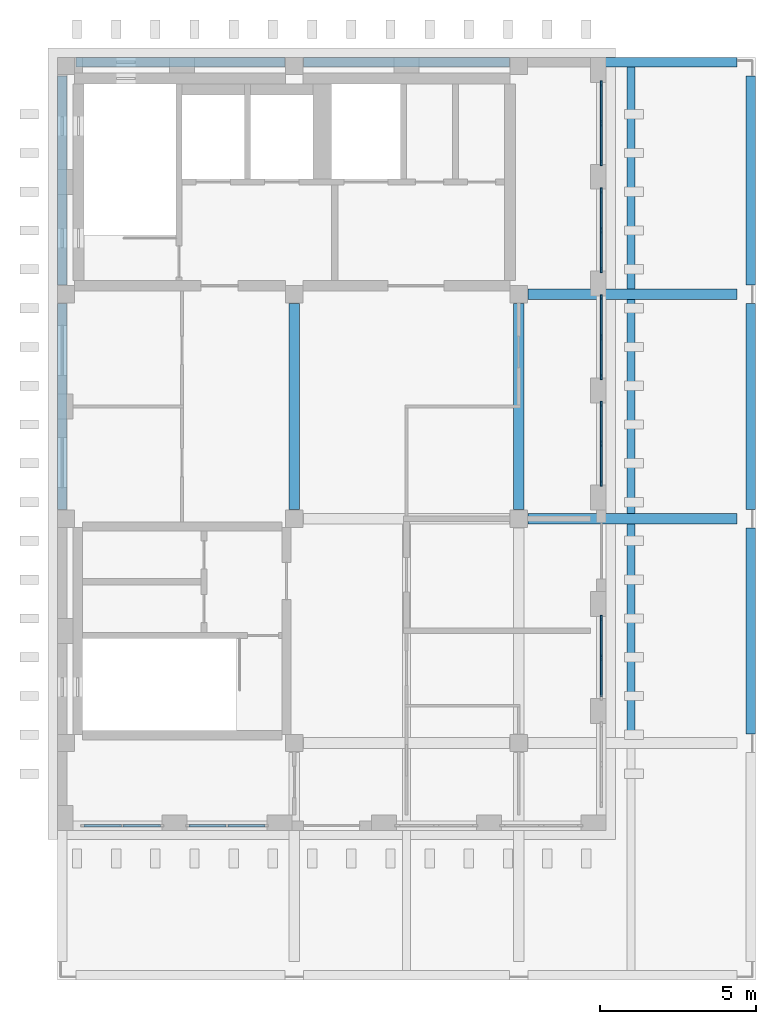
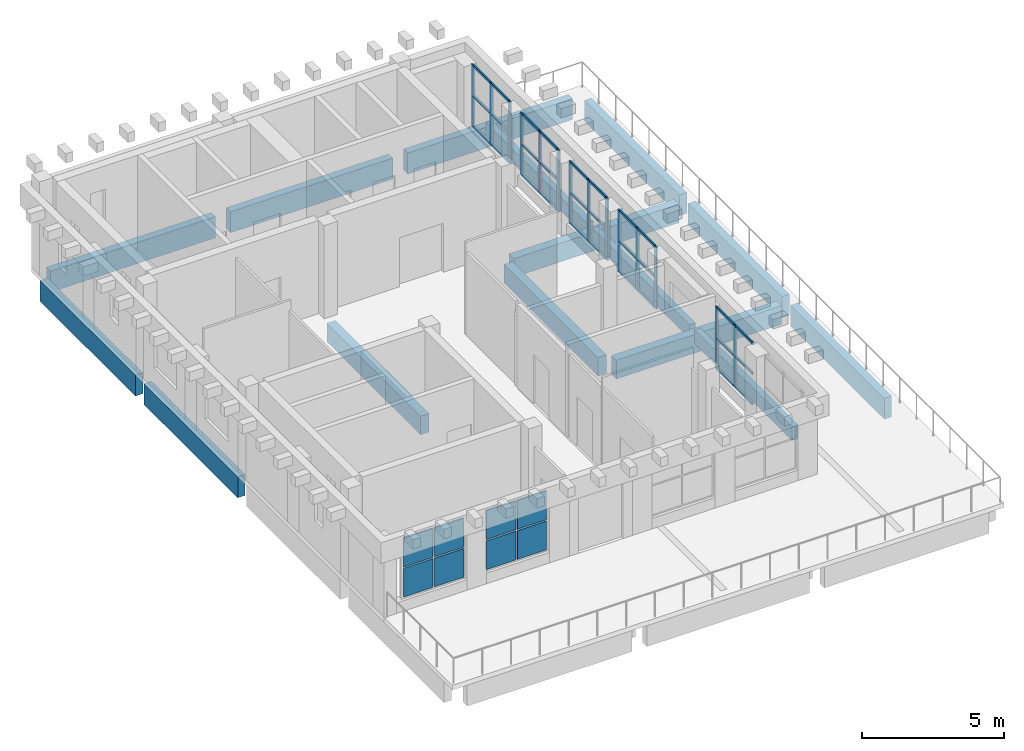
# One storey, part 2 of 6: 44 members, 15 beams, 8 plates, 7 elements without a shape of their own.
"""IFC4 building model written with IfcOpenShell, lengths in metres."""

from ifc_helpers import new_model, si_unit, direction, frame, origin, origin_2d, place, context, subcontext, project, spatial, rectangle, extrude, material, layer, layer_set, material_profile, profile_set, type_object, element, aggregate, save


model = new_model("IFC4")

# Units and contexts
model_context = context("Model", 3, precision=1e-05, world=origin(), true_north=direction((0.0, 1.0)))
body_context = subcontext(model_context, "Body", "Model", "MODEL_VIEW")
ifc_project = project(units=[si_unit("LENGTHUNIT", "METRE"), si_unit("AREAUNIT", "SQUARE_METRE"), si_unit("VOLUMEUNIT", "CUBIC_METRE"), si_unit("PLANEANGLEUNIT", "RADIAN"), si_unit("MASSUNIT", "GRAM", prefix="KILO")], contexts=[model_context])

# Site, building, storey
site_placement = place(None, origin())
site = spatial("IfcSite", under=ifc_project, at=site_placement, CompositionType="ELEMENT")
building_placement = place(site_placement, origin())
building = spatial("IfcBuilding", under=site, at=building_placement, Name="Ussher Court Research Institute", CompositionType="ELEMENT")
storey_placement = place(building_placement, frame((0.0, 0.0, 41.39990234375)))
storey = spatial("IfcBuildingStorey", under=building, at=storey_placement, Name="L09", CompositionType="ELEMENT", Elevation=41.39990234375)

# Curtain wall, members
ifc_material_1 = material(Name="Bronze anodised aluminium with solar-control glass", Category="aluminium")
ifc_layer_1 = layer(ifc_material_1, 0.1201171875)
ifc_layer_set_1 = layer_set([ifc_layer_1], Name="Bronze anodised aluminium with solar-control glass")
curtain_wall_type = type_object("IfcCurtainWallType", Name="Curtain wall roof terrace pavilion front", PredefinedType="NOTDEFINED", material=ifc_layer_set_1)
curtain_wall_1_placement = place(storey_placement, origin())
curtain_wall_1 = element("IfcCurtainWall", 1, at=curtain_wall_1_placement, inside=storey, type_object=curtain_wall_type, Name="Curtain wall CW9 L09", PredefinedType="NOTDEFINED")
ifc_material_2 = material(Name="Bronze anodised aluminium", Category="aluminium")
ifc_material_profile_1 = material_profile(ifc_material_2, rectangle(XDim=0.06005859375, YDim=0.159912109375, at=origin_2d()), Name="Mullion 60x160")
ifc_profile_set_1 = profile_set([ifc_material_profile_1], Name="Bronze anodised aluminium")
member_type_1 = type_object("IfcMemberType", Name="Mullion 60x160", PredefinedType="MULLION", material=ifc_profile_set_1)
member_1_placement = place(storey_placement, frame((99.25, 32.3701171875, 0.4501953125), z_axis=(0.0, 0.0, 1.0), x_axis=(1.0, 0.0, 0.0)))
member_1 = element("IfcMember", 2, at=member_1_placement, type_object=member_type_1, Name="CW9 mullion 1", PredefinedType="MULLION", context=body_context, shape_type="SweptSolid", body=[
    extrude(rectangle(XDim=0.06005859375, YDim=0.159912109375, at=origin_2d()), origin(), (0.0, 0.0, 1.0), 2.64990234375),
])
member_2_placement = place(storey_placement, frame((99.25, 31.085693359375, 0.4501953125), z_axis=(0.0, 0.0, 1.0), x_axis=(1.0, 0.0, 0.0)))
member_2 = element("IfcMember", 3, at=member_2_placement, type_object=member_type_1, Name="CW9 mullion 2", PredefinedType="MULLION", context=body_context, shape_type="SweptSolid", body=[
    extrude(rectangle(XDim=0.06005859375, YDim=0.159912109375, at=origin_2d()), origin(), (0.0, 0.0, 1.0), 2.64990234375),
])
member_3_placement = place(storey_placement, frame((99.25, 29.801513671875, 0.4501953125), z_axis=(0.0, 0.0, 1.0), x_axis=(1.0, 0.0, 0.0)))
member_3 = element("IfcMember", 4, at=member_3_placement, type_object=member_type_1, Name="CW9 mullion 3", PredefinedType="MULLION", context=body_context, shape_type="SweptSolid", body=[
    extrude(rectangle(XDim=0.06005859375, YDim=0.159912109375, at=origin_2d()), origin(), (0.0, 0.0, 1.0), 2.64990234375),
])

curtain_wall_2_placement = place(storey_placement, origin())
curtain_wall_2 = element("IfcCurtainWall", 5, at=curtain_wall_2_placement, inside=storey, type_object=curtain_wall_type, Name="Curtain wall CW9 L09", PredefinedType="NOTDEFINED")
member_4_placement = place(storey_placement, frame((99.25, 28.94140625, 0.4501953125), z_axis=(0.0, 0.0, 1.0), x_axis=(1.0, 0.0, 0.0)))
member_4 = element("IfcMember", 6, at=member_4_placement, type_object=member_type_1, Name="CW9 mullion 1", PredefinedType="MULLION", context=body_context, shape_type="SweptSolid", body=[
    extrude(rectangle(XDim=0.06005859375, YDim=0.159912109375, at=origin_2d()), origin(), (0.0, 0.0, 1.0), 2.64990234375),
])
member_5_placement = place(storey_placement, frame((99.25, 27.6572265625, 0.4501953125), z_axis=(0.0, 0.0, 1.0), x_axis=(1.0, 0.0, 0.0)))
member_5 = element("IfcMember", 7, at=member_5_placement, type_object=member_type_1, Name="CW9 mullion 2", PredefinedType="MULLION", context=body_context, shape_type="SweptSolid", body=[
    extrude(rectangle(XDim=0.06005859375, YDim=0.159912109375, at=origin_2d()), origin(), (0.0, 0.0, 1.0), 2.64990234375),
])
member_6_placement = place(storey_placement, frame((99.25, 26.372802734375, 0.4501953125), z_axis=(0.0, 0.0, 1.0), x_axis=(1.0, 0.0, 0.0)))
member_6 = element("IfcMember", 8, at=member_6_placement, type_object=member_type_1, Name="CW9 mullion 3", PredefinedType="MULLION", context=body_context, shape_type="SweptSolid", body=[
    extrude(rectangle(XDim=0.06005859375, YDim=0.159912109375, at=origin_2d()), origin(), (0.0, 0.0, 1.0), 2.64990234375),
])

curtain_wall_3_placement = place(storey_placement, origin())
curtain_wall_3 = element("IfcCurtainWall", 9, at=curtain_wall_3_placement, inside=storey, type_object=curtain_wall_type, Name="Curtain wall CW9 L09", PredefinedType="NOTDEFINED")
member_7_placement = place(storey_placement, frame((99.25, 25.512939453125, 0.4501953125), z_axis=(0.0, 0.0, 1.0), x_axis=(1.0, 0.0, 0.0)))
member_7 = element("IfcMember", 10, at=member_7_placement, type_object=member_type_1, Name="CW9 mullion 1", PredefinedType="MULLION", context=body_context, shape_type="SweptSolid", body=[
    extrude(rectangle(XDim=0.06005859375, YDim=0.159912109375, at=origin_2d()), origin(), (0.0, 0.0, 1.0), 2.64990234375),
])
member_8_placement = place(storey_placement, frame((99.25, 24.228515625, 0.4501953125), z_axis=(0.0, 0.0, 1.0), x_axis=(1.0, 0.0, 0.0)))
member_8 = element("IfcMember", 11, at=member_8_placement, type_object=member_type_1, Name="CW9 mullion 2", PredefinedType="MULLION", context=body_context, shape_type="SweptSolid", body=[
    extrude(rectangle(XDim=0.06005859375, YDim=0.159912109375, at=origin_2d()), origin(), (0.0, 0.0, 1.0), 2.64990234375),
])
member_9_placement = place(storey_placement, frame((99.25, 22.9443359375, 0.4501953125), z_axis=(0.0, 0.0, 1.0), x_axis=(1.0, 0.0, 0.0)))
member_9 = element("IfcMember", 12, at=member_9_placement, type_object=member_type_1, Name="CW9 mullion 3", PredefinedType="MULLION", context=body_context, shape_type="SweptSolid", body=[
    extrude(rectangle(XDim=0.06005859375, YDim=0.159912109375, at=origin_2d()), origin(), (0.0, 0.0, 1.0), 2.64990234375),
])

curtain_wall_4_placement = place(storey_placement, origin())
curtain_wall_4 = element("IfcCurtainWall", 13, at=curtain_wall_4_placement, inside=storey, type_object=curtain_wall_type, Name="Curtain wall CW9 L09", PredefinedType="NOTDEFINED")
member_10_placement = place(storey_placement, frame((99.25, 22.084228515625, 0.4501953125), z_axis=(0.0, 0.0, 1.0), x_axis=(1.0, 0.0, 0.0)))
member_10 = element("IfcMember", 14, at=member_10_placement, type_object=member_type_1, Name="CW9 mullion 1", PredefinedType="MULLION", context=body_context, shape_type="SweptSolid", body=[
    extrude(rectangle(XDim=0.06005859375, YDim=0.159912109375, at=origin_2d()), origin(), (0.0, 0.0, 1.0), 2.64990234375),
])
member_11_placement = place(storey_placement, frame((99.25, 20.800048828125, 0.4501953125), z_axis=(0.0, 0.0, 1.0), x_axis=(1.0, 0.0, 0.0)))
member_11 = element("IfcMember", 15, at=member_11_placement, type_object=member_type_1, Name="CW9 mullion 2", PredefinedType="MULLION", context=body_context, shape_type="SweptSolid", body=[
    extrude(rectangle(XDim=0.06005859375, YDim=0.159912109375, at=origin_2d()), origin(), (0.0, 0.0, 1.0), 2.64990234375),
])
member_12_placement = place(storey_placement, frame((99.25, 19.515625, 0.4501953125), z_axis=(0.0, 0.0, 1.0), x_axis=(1.0, 0.0, 0.0)))
member_12 = element("IfcMember", 16, at=member_12_placement, type_object=member_type_1, Name="CW9 mullion 3", PredefinedType="MULLION", context=body_context, shape_type="SweptSolid", body=[
    extrude(rectangle(XDim=0.06005859375, YDim=0.159912109375, at=origin_2d()), origin(), (0.0, 0.0, 1.0), 2.64990234375),
])

curtain_wall_5_placement = place(storey_placement, origin())
curtain_wall_5 = element("IfcCurtainWall", 17, at=curtain_wall_5_placement, inside=storey, type_object=curtain_wall_type, Name="Curtain wall CW9 L09", PredefinedType="NOTDEFINED")
member_13_placement = place(storey_placement, frame((99.25, 15.22705078125, 0.4501953125), z_axis=(0.0, 0.0, 1.0), x_axis=(1.0, 0.0, 0.0)))
member_13 = element("IfcMember", 18, at=member_13_placement, type_object=member_type_1, Name="CW9 mullion 1", PredefinedType="MULLION", context=body_context, shape_type="SweptSolid", body=[
    extrude(rectangle(XDim=0.06005859375, YDim=0.159912109375, at=origin_2d()), origin(), (0.0, 0.0, 1.0), 2.64990234375),
])
member_14_placement = place(storey_placement, frame((99.25, 13.94287109375, 0.4501953125), z_axis=(0.0, 0.0, 1.0), x_axis=(1.0, 0.0, 0.0)))
member_14 = element("IfcMember", 19, at=member_14_placement, type_object=member_type_1, Name="CW9 mullion 2", PredefinedType="MULLION", context=body_context, shape_type="SweptSolid", body=[
    extrude(rectangle(XDim=0.06005859375, YDim=0.159912109375, at=origin_2d()), origin(), (0.0, 0.0, 1.0), 2.64990234375),
])

# Beams
ifc_material_3 = material(Name="Concrete C35/45", Category="concrete")
ifc_material_profile_2 = material_profile(ifc_material_3, rectangle(XDim=0.25, YDim=0.60009765625, at=origin_2d()), Name="RC 250x600")
ifc_profile_set_2 = profile_set([ifc_material_profile_2], Name="Concrete C35/45")
beam_type_1 = type_object("IfcBeamType", Name="RC 250x600 beam", PredefinedType="BEAM", material=ifc_profile_set_2)
for number, where, z_axis, x_axis, name in (
    (20, (100.199951171875, 11.375, -0.2998046875), (0.0, 1.0, 0.0), (-1.0, 0.0, 0.0), "B14 V4 L09-04"),
    (21, (100.199951171875, 18.574951171875, -0.2998046875), (0.0, 1.0, 0.0), (-1.0, 0.0, 0.0), "B14 V4 L09-05"),
):
    element("IfcBeam", number, at=place(storey_placement, frame(where, z_axis=z_axis, x_axis=x_axis)), inside=storey, type_object=beam_type_1, Name=name, PredefinedType="BEAM", context=body_context, shape_type="SweptSolid", body=[
        extrude(rectangle(XDim=0.25, YDim=0.60009765625, at=origin_2d()), origin(), (0.0, 0.0, 1.0), 6.85009765625),
    ])
beam_1_placement = place(storey_placement, frame((100.199951171875, 25.77490234375, -0.2998046875), z_axis=(0.0, 1.0, 0.0), x_axis=(-1.0, 0.0, 0.0)))
element("IfcBeam", 22, at=beam_1_placement, inside=storey, type_object=beam_type_1, Name="B14 V4 L09-06", PredefinedType="BEAM", context=body_context, shape_type="SweptSolid", body=[
    extrude(rectangle(XDim=0.25, YDim=0.60009765625, at=origin_2d()), origin(), (0.0, 0.0, 1.0), 7.125),
])
ifc_material_4 = material(Name="Concrete C35/45", Category="concrete")
ifc_material_profile_3 = material_profile(ifc_material_4, rectangle(XDim=0.300048828125, YDim=0.89990234375, at=origin_2d()), Name="RC 300x900")
ifc_profile_set_3 = profile_set([ifc_material_profile_3], Name="Concrete C35/45")
beam_type_2 = type_object("IfcBeamType", Name="RC 300x900 beam", PredefinedType="BEAM", material=ifc_profile_set_3)
beam_2_placement = place(storey_placement, frame((82.39990234375, 33.050048828125, -0.64990234375), z_axis=(1.0, 0.0, 0.0), x_axis=(0.0, 1.0, 0.0)))
element("IfcBeam", 23, at=beam_2_placement, inside=storey, type_object=beam_type_2, Name="SB2 V4 L09-04", PredefinedType="BEAM", context=body_context, shape_type="SweptSolid", body=[
    extrude(rectangle(XDim=0.300048828125, YDim=0.89990234375, at=origin_2d()), origin(), (0.0, 0.0, 1.0), 6.7001953125),
])
beam_3_placement = place(storey_placement, frame((89.699951171875, 33.050048828125, -0.64990234375), z_axis=(1.0, 0.0, 0.0), x_axis=(0.0, 1.0, 0.0)))
element("IfcBeam", 24, at=beam_3_placement, inside=storey, type_object=beam_type_2, Name="SB2 V4 L09-05", PredefinedType="BEAM", context=body_context, shape_type="SweptSolid", body=[
    extrude(rectangle(XDim=0.300048828125, YDim=0.89990234375, at=origin_2d()), origin(), (0.0, 0.0, 1.0), 6.60009765625),
])
beam_4_placement = place(storey_placement, frame((96.89990234375, 33.050048828125, -0.64990234375), z_axis=(1.0, 0.0, 0.0), x_axis=(0.0, 1.0, 0.0)))
element("IfcBeam", 25, at=beam_4_placement, inside=storey, type_object=beam_type_2, Name="SB2 V4 L09-06", PredefinedType="BEAM", context=body_context, shape_type="SweptSolid", body=[
    extrude(rectangle(XDim=0.300048828125, YDim=0.89990234375, at=origin_2d()), origin(), (0.0, 0.0, 1.0), 6.7001953125),
])
beam_5_placement = place(storey_placement, frame((81.949951171875, 18.699951171875, -0.64990234375), z_axis=(0.0, 1.0, 0.0), x_axis=(-1.0, 0.0, 0.0)))
element("IfcBeam", 26, at=beam_5_placement, inside=storey, type_object=beam_type_2, Name="SB2 V4 L09-09", PredefinedType="BEAM", context=body_context, shape_type="SweptSolid", body=[
    extrude(rectangle(XDim=0.300048828125, YDim=0.89990234375, at=origin_2d()), origin(), (0.0, 0.0, 1.0), 6.60009765625),
])
beam_6_placement = place(storey_placement, frame((81.949951171875, 25.89990234375, -0.64990234375), z_axis=(0.0, 1.0, 0.0), x_axis=(-1.0, 0.0, 0.0)))
element("IfcBeam", 27, at=beam_6_placement, inside=storey, type_object=beam_type_2, Name="SB2 V4 L09-10", PredefinedType="BEAM", context=body_context, shape_type="SweptSolid", body=[
    extrude(rectangle(XDim=0.300048828125, YDim=0.89990234375, at=origin_2d()), origin(), (0.0, 0.0, 1.0), 6.7001953125),
])
for number, where, z_axis, x_axis, name in (
    (28, (104.050048828125, 11.5, -0.64990234375), (0.0, 1.0, 0.0), (-1.0, 0.0, 0.0), "SB2 V4 L09-12"),
    (29, (104.050048828125, 18.699951171875, -0.64990234375), (0.0, 1.0, 0.0), (-1.0, 0.0, 0.0), "SB2 V4 L09-13"),
):
    element("IfcBeam", number, at=place(storey_placement, frame(where, z_axis=z_axis, x_axis=x_axis)), inside=storey, type_object=beam_type_2, Name=name, PredefinedType="BEAM", context=body_context, shape_type="SweptSolid", body=[
        extrude(rectangle(XDim=0.300048828125, YDim=0.89990234375, at=origin_2d()), origin(), (0.0, 0.0, 1.0), 6.60009765625),
    ])
beam_7_placement = place(storey_placement, frame((104.050048828125, 25.89990234375, -0.64990234375), z_axis=(0.0, 1.0, 0.0), x_axis=(-1.0, 0.0, 0.0)))
element("IfcBeam", 30, at=beam_7_placement, inside=storey, type_object=beam_type_2, Name="SB2 V4 L09-14", PredefinedType="BEAM", context=body_context, shape_type="SweptSolid", body=[
    extrude(rectangle(XDim=0.300048828125, YDim=0.89990234375, at=origin_2d()), origin(), (0.0, 0.0, 1.0), 6.7001953125),
])
ifc_material_5 = material(Name="Concrete C35/45", Category="concrete")
ifc_material_profile_4 = material_profile(ifc_material_5, rectangle(XDim=0.35009765625, YDim=0.800048828125, at=origin_2d()), Name="RC 350x800")
ifc_profile_set_4 = profile_set([ifc_material_profile_4], Name="Concrete C35/45")
beam_type_3 = type_object("IfcBeamType", Name="RC 350x800 beam", PredefinedType="BEAM", material=ifc_profile_set_4)
for number, where, z_axis, x_axis, name in (
    (31, (96.89990234375, 18.39990234375, -0.599853515625), (1.0, 0.0, 0.0), (0.0, 1.0, 0.0), "B6 V4 L09-04"),
    (32, (96.89990234375, 25.60009765625, -0.599853515625), (1.0, 0.0, 0.0), (0.0, 1.0, 0.0), "B6 V4 L09-05"),
):
    element("IfcBeam", number, at=place(storey_placement, frame(where, z_axis=z_axis, x_axis=x_axis)), inside=storey, type_object=beam_type_3, Name=name, PredefinedType="BEAM", context=body_context, shape_type="SweptSolid", body=[
        extrude(rectangle(XDim=0.35009765625, YDim=0.800048828125, at=origin_2d()), origin(), (0.0, 0.0, 1.0), 6.7001953125),
    ])
for number, where, z_axis, x_axis, name in (
    (33, (89.39990234375, 18.699951171875, -0.599853515625), (0.0, 1.0, 0.0), (-1.0, 0.0, 0.0), "B6 V4 L09-07"),
    (34, (96.60009765625, 18.699951171875, -0.599853515625), (0.0, 1.0, 0.0), (-1.0, 0.0, 0.0), "B6 V4 L09-10"),
):
    element("IfcBeam", number, at=place(storey_placement, frame(where, z_axis=z_axis, x_axis=x_axis)), inside=storey, type_object=beam_type_3, Name=name, PredefinedType="BEAM", context=body_context, shape_type="SweptSolid", body=[
        extrude(rectangle(XDim=0.35009765625, YDim=0.800048828125, at=origin_2d()), origin(), (0.0, 0.0, 1.0), 6.60009765625),
    ])

# Member
ifc_material_6 = material(Name="Bronze anodised aluminium", Category="aluminium")
ifc_material_profile_5 = material_profile(ifc_material_6, rectangle(XDim=0.06005859375, YDim=0.1201171875, at=origin_2d()), Name="Transom 60x120")
ifc_profile_set_5 = profile_set([ifc_material_profile_5], Name="Bronze anodised aluminium")
member_type_2 = type_object("IfcMemberType", Name="Transom 60x120", PredefinedType="USERDEFINED", material=ifc_profile_set_5)
member_15_placement = place(storey_placement, frame((99.25, 32.340087890625, 0.47998046875), z_axis=(0.0, -1.0, 0.0), x_axis=(1.0, 0.0, 0.0)))
member_15 = element("IfcMember", 35, at=member_15_placement, type_object=member_type_2, Name="CW9 transom 1.1", ObjectType="TRANSOM", PredefinedType="USERDEFINED", context=body_context, shape_type="SweptSolid", body=[
    extrude(rectangle(XDim=0.06005859375, YDim=0.1201171875, at=origin_2d()), origin(), (0.0, 0.0, 1.0), 1.224365234375),
])

member_16_placement = place(storey_placement, frame((99.25, 32.340087890625, 1.775146484375), z_axis=(0.0, -1.0, 0.0), x_axis=(1.0, 0.0, 0.0)))
member_16 = element("IfcMember", 36, at=member_16_placement, type_object=member_type_2, Name="CW9 transom 1.2", ObjectType="TRANSOM", PredefinedType="USERDEFINED", context=body_context, shape_type="SweptSolid", body=[
    extrude(rectangle(XDim=0.06005859375, YDim=0.1201171875, at=origin_2d()), origin(), (0.0, 0.0, 1.0), 1.224365234375),
])

member_17_placement = place(storey_placement, frame((99.25, 32.340087890625, 3.070068359375), z_axis=(0.0, -1.0, 0.0), x_axis=(1.0, 0.0, 0.0)))
member_17 = element("IfcMember", 37, at=member_17_placement, type_object=member_type_2, Name="CW9 transom 1.3", ObjectType="TRANSOM", PredefinedType="USERDEFINED", context=body_context, shape_type="SweptSolid", body=[
    extrude(rectangle(XDim=0.06005859375, YDim=0.1201171875, at=origin_2d()), origin(), (0.0, 0.0, 1.0), 1.224365234375),
])

member_18_placement = place(storey_placement, frame((99.25, 31.0556640625, 0.47998046875), z_axis=(0.0, -1.0, 0.0), x_axis=(1.0, 0.0, 0.0)))
member_18 = element("IfcMember", 38, at=member_18_placement, type_object=member_type_2, Name="CW9 transom 2.1", ObjectType="TRANSOM", PredefinedType="USERDEFINED", context=body_context, shape_type="SweptSolid", body=[
    extrude(rectangle(XDim=0.06005859375, YDim=0.1201171875, at=origin_2d()), origin(), (0.0, 0.0, 1.0), 1.224365234375),
])

member_19_placement = place(storey_placement, frame((99.25, 31.0556640625, 1.775146484375), z_axis=(0.0, -1.0, 0.0), x_axis=(1.0, 0.0, 0.0)))
member_19 = element("IfcMember", 39, at=member_19_placement, type_object=member_type_2, Name="CW9 transom 2.2", ObjectType="TRANSOM", PredefinedType="USERDEFINED", context=body_context, shape_type="SweptSolid", body=[
    extrude(rectangle(XDim=0.06005859375, YDim=0.1201171875, at=origin_2d()), origin(), (0.0, 0.0, 1.0), 1.224365234375),
])

member_20_placement = place(storey_placement, frame((99.25, 31.0556640625, 3.070068359375), z_axis=(0.0, -1.0, 0.0), x_axis=(1.0, 0.0, 0.0)))
member_20 = element("IfcMember", 40, at=member_20_placement, type_object=member_type_2, Name="CW9 transom 2.3", ObjectType="TRANSOM", PredefinedType="USERDEFINED", context=body_context, shape_type="SweptSolid", body=[
    extrude(rectangle(XDim=0.06005859375, YDim=0.1201171875, at=origin_2d()), origin(), (0.0, 0.0, 1.0), 1.224365234375),
])

aggregate(curtain_wall_1, [member_1, member_2, member_3, member_15, member_16, member_17, member_18, member_19, member_20])

member_21_placement = place(storey_placement, frame((99.25, 28.911376953125, 0.47998046875), z_axis=(0.0, -1.0, 0.0), x_axis=(1.0, 0.0, 0.0)))
member_21 = element("IfcMember", 41, at=member_21_placement, type_object=member_type_2, Name="CW9 transom 1.1", ObjectType="TRANSOM", PredefinedType="USERDEFINED", context=body_context, shape_type="SweptSolid", body=[
    extrude(rectangle(XDim=0.06005859375, YDim=0.1201171875, at=origin_2d()), origin(), (0.0, 0.0, 1.0), 1.22412109375),
])

member_22_placement = place(storey_placement, frame((99.25, 28.911376953125, 1.775146484375), z_axis=(0.0, -1.0, 0.0), x_axis=(1.0, 0.0, 0.0)))
member_22 = element("IfcMember", 42, at=member_22_placement, type_object=member_type_2, Name="CW9 transom 1.2", ObjectType="TRANSOM", PredefinedType="USERDEFINED", context=body_context, shape_type="SweptSolid", body=[
    extrude(rectangle(XDim=0.06005859375, YDim=0.1201171875, at=origin_2d()), origin(), (0.0, 0.0, 1.0), 1.22412109375),
])

member_23_placement = place(storey_placement, frame((99.25, 28.911376953125, 3.070068359375), z_axis=(0.0, -1.0, 0.0), x_axis=(1.0, 0.0, 0.0)))
member_23 = element("IfcMember", 43, at=member_23_placement, type_object=member_type_2, Name="CW9 transom 1.3", ObjectType="TRANSOM", PredefinedType="USERDEFINED", context=body_context, shape_type="SweptSolid", body=[
    extrude(rectangle(XDim=0.06005859375, YDim=0.1201171875, at=origin_2d()), origin(), (0.0, 0.0, 1.0), 1.22412109375),
])

member_24_placement = place(storey_placement, frame((99.25, 27.627197265625, 0.47998046875), z_axis=(0.0, -1.0, 0.0), x_axis=(1.0, 0.0, 0.0)))
member_24 = element("IfcMember", 44, at=member_24_placement, type_object=member_type_2, Name="CW9 transom 2.1", ObjectType="TRANSOM", PredefinedType="USERDEFINED", context=body_context, shape_type="SweptSolid", body=[
    extrude(rectangle(XDim=0.06005859375, YDim=0.1201171875, at=origin_2d()), origin(), (0.0, 0.0, 1.0), 1.224365234375),
])

member_25_placement = place(storey_placement, frame((99.25, 27.627197265625, 1.775146484375), z_axis=(0.0, -1.0, 0.0), x_axis=(1.0, 0.0, 0.0)))
member_25 = element("IfcMember", 45, at=member_25_placement, type_object=member_type_2, Name="CW9 transom 2.2", ObjectType="TRANSOM", PredefinedType="USERDEFINED", context=body_context, shape_type="SweptSolid", body=[
    extrude(rectangle(XDim=0.06005859375, YDim=0.1201171875, at=origin_2d()), origin(), (0.0, 0.0, 1.0), 1.224365234375),
])

member_26_placement = place(storey_placement, frame((99.25, 27.627197265625, 3.070068359375), z_axis=(0.0, -1.0, 0.0), x_axis=(1.0, 0.0, 0.0)))
member_26 = element("IfcMember", 46, at=member_26_placement, type_object=member_type_2, Name="CW9 transom 2.3", ObjectType="TRANSOM", PredefinedType="USERDEFINED", context=body_context, shape_type="SweptSolid", body=[
    extrude(rectangle(XDim=0.06005859375, YDim=0.1201171875, at=origin_2d()), origin(), (0.0, 0.0, 1.0), 1.224365234375),
])

aggregate(curtain_wall_2, [member_4, member_5, member_6, member_21, member_22, member_23, member_24, member_25, member_26])

member_27_placement = place(storey_placement, frame((99.25, 25.48291015625, 0.47998046875), z_axis=(0.0, -1.0, 0.0), x_axis=(1.0, 0.0, 0.0)))
member_27 = element("IfcMember", 47, at=member_27_placement, type_object=member_type_2, Name="CW9 transom 1.1", ObjectType="TRANSOM", PredefinedType="USERDEFINED", context=body_context, shape_type="SweptSolid", body=[
    extrude(rectangle(XDim=0.06005859375, YDim=0.1201171875, at=origin_2d()), origin(), (0.0, 0.0, 1.0), 1.224365234375),
])

member_28_placement = place(storey_placement, frame((99.25, 25.48291015625, 1.775146484375), z_axis=(0.0, -1.0, 0.0), x_axis=(1.0, 0.0, 0.0)))
member_28 = element("IfcMember", 48, at=member_28_placement, type_object=member_type_2, Name="CW9 transom 1.2", ObjectType="TRANSOM", PredefinedType="USERDEFINED", context=body_context, shape_type="SweptSolid", body=[
    extrude(rectangle(XDim=0.06005859375, YDim=0.1201171875, at=origin_2d()), origin(), (0.0, 0.0, 1.0), 1.224365234375),
])

member_29_placement = place(storey_placement, frame((99.25, 25.48291015625, 3.070068359375), z_axis=(0.0, -1.0, 0.0), x_axis=(1.0, 0.0, 0.0)))
member_29 = element("IfcMember", 49, at=member_29_placement, type_object=member_type_2, Name="CW9 transom 1.3", ObjectType="TRANSOM", PredefinedType="USERDEFINED", context=body_context, shape_type="SweptSolid", body=[
    extrude(rectangle(XDim=0.06005859375, YDim=0.1201171875, at=origin_2d()), origin(), (0.0, 0.0, 1.0), 1.224365234375),
])

member_30_placement = place(storey_placement, frame((99.25, 24.198486328125, 0.47998046875), z_axis=(0.0, -1.0, 0.0), x_axis=(1.0, 0.0, 0.0)))
member_30 = element("IfcMember", 50, at=member_30_placement, type_object=member_type_2, Name="CW9 transom 2.1", ObjectType="TRANSOM", PredefinedType="USERDEFINED", context=body_context, shape_type="SweptSolid", body=[
    extrude(rectangle(XDim=0.06005859375, YDim=0.1201171875, at=origin_2d()), origin(), (0.0, 0.0, 1.0), 1.22412109375),
])

member_31_placement = place(storey_placement, frame((99.25, 24.198486328125, 1.775146484375), z_axis=(0.0, -1.0, 0.0), x_axis=(1.0, 0.0, 0.0)))
member_31 = element("IfcMember", 51, at=member_31_placement, type_object=member_type_2, Name="CW9 transom 2.2", ObjectType="TRANSOM", PredefinedType="USERDEFINED", context=body_context, shape_type="SweptSolid", body=[
    extrude(rectangle(XDim=0.06005859375, YDim=0.1201171875, at=origin_2d()), origin(), (0.0, 0.0, 1.0), 1.22412109375),
])

member_32_placement = place(storey_placement, frame((99.25, 24.198486328125, 3.070068359375), z_axis=(0.0, -1.0, 0.0), x_axis=(1.0, 0.0, 0.0)))
member_32 = element("IfcMember", 52, at=member_32_placement, type_object=member_type_2, Name="CW9 transom 2.3", ObjectType="TRANSOM", PredefinedType="USERDEFINED", context=body_context, shape_type="SweptSolid", body=[
    extrude(rectangle(XDim=0.06005859375, YDim=0.1201171875, at=origin_2d()), origin(), (0.0, 0.0, 1.0), 1.22412109375),
])

aggregate(curtain_wall_3, [member_7, member_8, member_9, member_27, member_28, member_29, member_30, member_31, member_32])

member_33_placement = place(storey_placement, frame((99.25, 22.05419921875, 0.47998046875), z_axis=(0.0, -1.0, 0.0), x_axis=(1.0, 0.0, 0.0)))
member_33 = element("IfcMember", 53, at=member_33_placement, type_object=member_type_2, Name="CW9 transom 1.1", ObjectType="TRANSOM", PredefinedType="USERDEFINED", context=body_context, shape_type="SweptSolid", body=[
    extrude(rectangle(XDim=0.06005859375, YDim=0.1201171875, at=origin_2d()), origin(), (0.0, 0.0, 1.0), 1.22412109375),
])

member_34_placement = place(storey_placement, frame((99.25, 22.05419921875, 1.775146484375), z_axis=(0.0, -1.0, 0.0), x_axis=(1.0, 0.0, 0.0)))
member_34 = element("IfcMember", 54, at=member_34_placement, type_object=member_type_2, Name="CW9 transom 1.2", ObjectType="TRANSOM", PredefinedType="USERDEFINED", context=body_context, shape_type="SweptSolid", body=[
    extrude(rectangle(XDim=0.06005859375, YDim=0.1201171875, at=origin_2d()), origin(), (0.0, 0.0, 1.0), 1.22412109375),
])

member_35_placement = place(storey_placement, frame((99.25, 22.05419921875, 3.070068359375), z_axis=(0.0, -1.0, 0.0), x_axis=(1.0, 0.0, 0.0)))
member_35 = element("IfcMember", 55, at=member_35_placement, type_object=member_type_2, Name="CW9 transom 1.3", ObjectType="TRANSOM", PredefinedType="USERDEFINED", context=body_context, shape_type="SweptSolid", body=[
    extrude(rectangle(XDim=0.06005859375, YDim=0.1201171875, at=origin_2d()), origin(), (0.0, 0.0, 1.0), 1.22412109375),
])

member_36_placement = place(storey_placement, frame((99.25, 20.77001953125, 0.47998046875), z_axis=(0.0, -1.0, 0.0), x_axis=(1.0, 0.0, 0.0)))
member_36 = element("IfcMember", 56, at=member_36_placement, type_object=member_type_2, Name="CW9 transom 2.1", ObjectType="TRANSOM", PredefinedType="USERDEFINED", context=body_context, shape_type="SweptSolid", body=[
    extrude(rectangle(XDim=0.06005859375, YDim=0.1201171875, at=origin_2d()), origin(), (0.0, 0.0, 1.0), 1.224365234375),
])

member_37_placement = place(storey_placement, frame((99.25, 20.77001953125, 1.775146484375), z_axis=(0.0, -1.0, 0.0), x_axis=(1.0, 0.0, 0.0)))
member_37 = element("IfcMember", 57, at=member_37_placement, type_object=member_type_2, Name="CW9 transom 2.2", ObjectType="TRANSOM", PredefinedType="USERDEFINED", context=body_context, shape_type="SweptSolid", body=[
    extrude(rectangle(XDim=0.06005859375, YDim=0.1201171875, at=origin_2d()), origin(), (0.0, 0.0, 1.0), 1.224365234375),
])

member_38_placement = place(storey_placement, frame((99.25, 20.77001953125, 3.070068359375), z_axis=(0.0, -1.0, 0.0), x_axis=(1.0, 0.0, 0.0)))
member_38 = element("IfcMember", 58, at=member_38_placement, type_object=member_type_2, Name="CW9 transom 2.3", ObjectType="TRANSOM", PredefinedType="USERDEFINED", context=body_context, shape_type="SweptSolid", body=[
    extrude(rectangle(XDim=0.06005859375, YDim=0.1201171875, at=origin_2d()), origin(), (0.0, 0.0, 1.0), 1.224365234375),
])

aggregate(curtain_wall_4, [member_10, member_11, member_12, member_33, member_34, member_35, member_36, member_37, member_38])

member_39_placement = place(storey_placement, frame((99.25, 15.197021484375, 0.47998046875), z_axis=(0.0, -1.0, 0.0), x_axis=(1.0, 0.0, 0.0)))
member_39 = element("IfcMember", 59, at=member_39_placement, type_object=member_type_2, Name="CW9 transom 1.1", ObjectType="TRANSOM", PredefinedType="USERDEFINED", context=body_context, shape_type="SweptSolid", body=[
    extrude(rectangle(XDim=0.06005859375, YDim=0.1201171875, at=origin_2d()), origin(), (0.0, 0.0, 1.0), 1.22412109375),
])

member_40_placement = place(storey_placement, frame((99.25, 15.197021484375, 1.775146484375), z_axis=(0.0, -1.0, 0.0), x_axis=(1.0, 0.0, 0.0)))
member_40 = element("IfcMember", 60, at=member_40_placement, type_object=member_type_2, Name="CW9 transom 1.2", ObjectType="TRANSOM", PredefinedType="USERDEFINED", context=body_context, shape_type="SweptSolid", body=[
    extrude(rectangle(XDim=0.06005859375, YDim=0.1201171875, at=origin_2d()), origin(), (0.0, 0.0, 1.0), 1.22412109375),
])

member_41_placement = place(storey_placement, frame((99.25, 15.197021484375, 3.070068359375), z_axis=(0.0, -1.0, 0.0), x_axis=(1.0, 0.0, 0.0)))
member_41 = element("IfcMember", 61, at=member_41_placement, type_object=member_type_2, Name="CW9 transom 1.3", ObjectType="TRANSOM", PredefinedType="USERDEFINED", context=body_context, shape_type="SweptSolid", body=[
    extrude(rectangle(XDim=0.06005859375, YDim=0.1201171875, at=origin_2d()), origin(), (0.0, 0.0, 1.0), 1.22412109375),
])

member_42_placement = place(storey_placement, frame((99.25, 13.912841796875, 0.47998046875), z_axis=(0.0, -1.0, 0.0), x_axis=(1.0, 0.0, 0.0)))
member_42 = element("IfcMember", 62, at=member_42_placement, type_object=member_type_2, Name="CW9 transom 2.1", ObjectType="TRANSOM", PredefinedType="USERDEFINED", context=body_context, shape_type="SweptSolid", body=[
    extrude(rectangle(XDim=0.06005859375, YDim=0.1201171875, at=origin_2d()), origin(), (0.0, 0.0, 1.0), 1.22412109375),
])

member_43_placement = place(storey_placement, frame((99.25, 13.912841796875, 1.775146484375), z_axis=(0.0, -1.0, 0.0), x_axis=(1.0, 0.0, 0.0)))
member_43 = element("IfcMember", 63, at=member_43_placement, type_object=member_type_2, Name="CW9 transom 2.2", ObjectType="TRANSOM", PredefinedType="USERDEFINED", context=body_context, shape_type="SweptSolid", body=[
    extrude(rectangle(XDim=0.06005859375, YDim=0.1201171875, at=origin_2d()), origin(), (0.0, 0.0, 1.0), 1.22412109375),
])

member_44_placement = place(storey_placement, frame((99.25, 13.912841796875, 3.070068359375), z_axis=(0.0, -1.0, 0.0), x_axis=(1.0, 0.0, 0.0)))
member_44 = element("IfcMember", 64, at=member_44_placement, type_object=member_type_2, Name="CW9 transom 2.3", ObjectType="TRANSOM", PredefinedType="USERDEFINED", context=body_context, shape_type="SweptSolid", body=[
    extrude(rectangle(XDim=0.06005859375, YDim=0.1201171875, at=origin_2d()), origin(), (0.0, 0.0, 1.0), 1.22412109375),
])

aggregate(curtain_wall_5, [member_13, member_14, member_39, member_40, member_41, member_42, member_43, member_44])

# Curtain wall, plates
curtain_wall_6_placement = place(storey_placement, origin())
curtain_wall_6 = element("IfcCurtainWall", 65, at=curtain_wall_6_placement, inside=storey, type_object=curtain_wall_type, Name="Curtain wall CW9 L09", PredefinedType="NOTDEFINED")
ifc_material_7 = material(Name="Solar-control glazed unit")
ifc_layer_2 = layer(ifc_material_7, 0.070068359375)
ifc_layer_set_2 = layer_set([ifc_layer_2], Name="Solar-control glazed unit")
plate_type = type_object("IfcPlateType", Name="Solar-control glazing panel 70 mm", PredefinedType="CURTAIN_PANEL", material=ifc_layer_set_2)
plate_1_placement = place(storey_placement, frame((87.864990234375, 8.550048828125, 0.51025390625), z_axis=(0.0, 0.0, 1.0), x_axis=(-1.0, 0.0, 0.0)))
plate_1 = element("IfcPlate", 66, at=plate_1_placement, type_object=plate_type, Name="CW9 panel 1.1", PredefinedType="CURTAIN_PANEL", context=body_context, shape_type="SweptSolid", body=[
    extrude(rectangle(XDim=1.18994140625, YDim=0.070068359375, at=origin_2d()), origin(), (0.0, 0.0, 1.0), 1.235107421875),
])
plate_2_placement = place(storey_placement, frame((87.864990234375, 8.550048828125, 1.80517578125), z_axis=(0.0, 0.0, 1.0), x_axis=(-1.0, 0.0, 0.0)))
plate_2 = element("IfcPlate", 67, at=plate_2_placement, type_object=plate_type, Name="CW9 panel 1.2", PredefinedType="CURTAIN_PANEL", context=body_context, shape_type="SweptSolid", body=[
    extrude(rectangle(XDim=1.18994140625, YDim=0.070068359375, at=origin_2d()), origin(), (0.0, 0.0, 1.0), 1.235107421875),
])
plate_3_placement = place(storey_placement, frame((86.614990234375, 8.550048828125, 0.51025390625), z_axis=(0.0, 0.0, 1.0), x_axis=(-1.0, 0.0, 0.0)))
plate_3 = element("IfcPlate", 68, at=plate_3_placement, type_object=plate_type, Name="CW9 panel 2.1", PredefinedType="CURTAIN_PANEL", context=body_context, shape_type="SweptSolid", body=[
    extrude(rectangle(XDim=1.18994140625, YDim=0.070068359375, at=origin_2d()), origin(), (0.0, 0.0, 1.0), 1.235107421875),
])
plate_4_placement = place(storey_placement, frame((86.614990234375, 8.550048828125, 1.80517578125), z_axis=(0.0, 0.0, 1.0), x_axis=(-1.0, 0.0, 0.0)))
plate_4 = element("IfcPlate", 69, at=plate_4_placement, type_object=plate_type, Name="CW9 panel 2.2", PredefinedType="CURTAIN_PANEL", context=body_context, shape_type="SweptSolid", body=[
    extrude(rectangle(XDim=1.18994140625, YDim=0.070068359375, at=origin_2d()), origin(), (0.0, 0.0, 1.0), 1.235107421875),
])
aggregate(curtain_wall_6, [plate_1, plate_2, plate_3, plate_4])

curtain_wall_7_placement = place(storey_placement, origin())
curtain_wall_7 = element("IfcCurtainWall", 70, at=curtain_wall_7_placement, inside=storey, type_object=curtain_wall_type, Name="Curtain wall CW9 L09", PredefinedType="NOTDEFINED")
plate_5_placement = place(storey_placement, frame((84.5048828125, 8.550048828125, 0.51025390625), z_axis=(0.0, 0.0, 1.0), x_axis=(-1.0, 0.0, 0.0)))
plate_5 = element("IfcPlate", 71, at=plate_5_placement, type_object=plate_type, Name="CW9 panel 1.1", PredefinedType="CURTAIN_PANEL", context=body_context, shape_type="SweptSolid", body=[
    extrude(rectangle(XDim=1.18994140625, YDim=0.070068359375, at=origin_2d()), origin(), (0.0, 0.0, 1.0), 1.235107421875),
])
plate_6_placement = place(storey_placement, frame((84.5048828125, 8.550048828125, 1.80517578125), z_axis=(0.0, 0.0, 1.0), x_axis=(-1.0, 0.0, 0.0)))
plate_6 = element("IfcPlate", 72, at=plate_6_placement, type_object=plate_type, Name="CW9 panel 1.2", PredefinedType="CURTAIN_PANEL", context=body_context, shape_type="SweptSolid", body=[
    extrude(rectangle(XDim=1.18994140625, YDim=0.070068359375, at=origin_2d()), origin(), (0.0, 0.0, 1.0), 1.235107421875),
])
plate_7_placement = place(storey_placement, frame((83.2548828125, 8.550048828125, 0.51025390625), z_axis=(0.0, 0.0, 1.0), x_axis=(-1.0, 0.0, 0.0)))
plate_7 = element("IfcPlate", 73, at=plate_7_placement, type_object=plate_type, Name="CW9 panel 2.1", PredefinedType="CURTAIN_PANEL", context=body_context, shape_type="SweptSolid", body=[
    extrude(rectangle(XDim=1.18994140625, YDim=0.070068359375, at=origin_2d()), origin(), (0.0, 0.0, 1.0), 1.235107421875),
])
plate_8_placement = place(storey_placement, frame((83.2548828125, 8.550048828125, 1.80517578125), z_axis=(0.0, 0.0, 1.0), x_axis=(-1.0, 0.0, 0.0)))
plate_8 = element("IfcPlate", 74, at=plate_8_placement, type_object=plate_type, Name="CW9 panel 2.2", PredefinedType="CURTAIN_PANEL", context=body_context, shape_type="SweptSolid", body=[
    extrude(rectangle(XDim=1.18994140625, YDim=0.070068359375, at=origin_2d()), origin(), (0.0, 0.0, 1.0), 1.235107421875),
])
aggregate(curtain_wall_7, [plate_5, plate_6, plate_7, plate_8])

save(model, "model.ifc")
